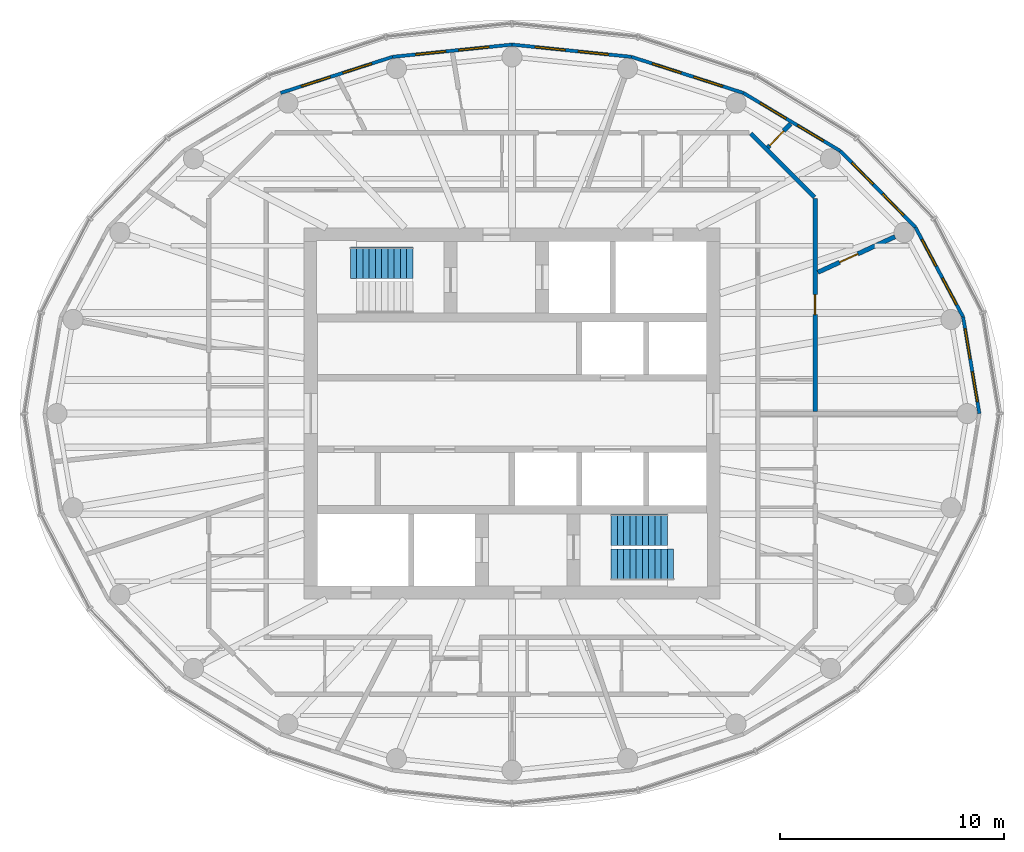
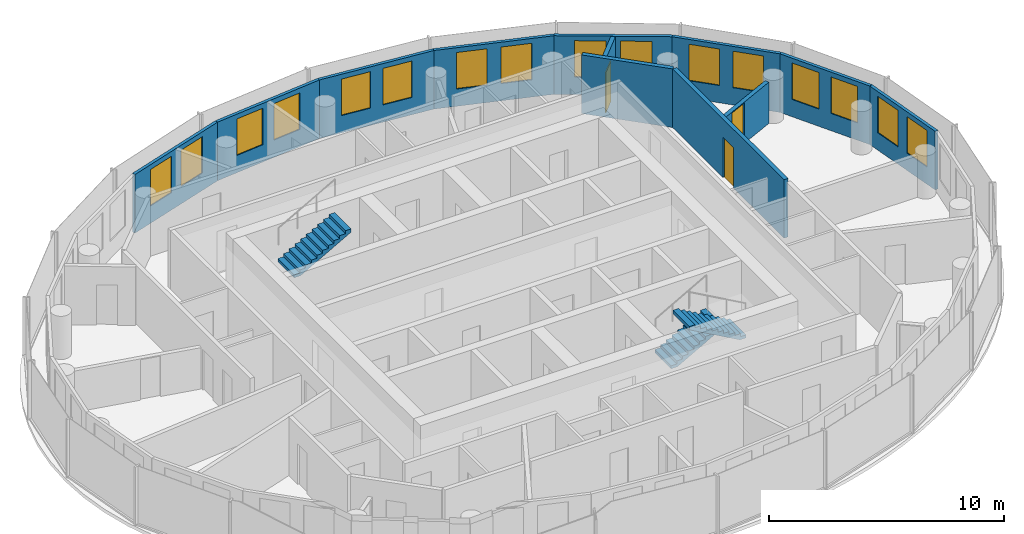
# One storey, part 9 of 11: 16 windows, 12 walls, 3 doors, 3 stair flights, 19 openings, 2 elements without a shape of their own.
"""IFC4 building model written with IfcOpenShell, lengths in metres."""

from ifc_helpers import new_model, si_unit, direction, frame, frame_2d, origin, place, context, subcontext, project, spatial, polyline, rectangle, outline, extrude, material, layer, layer_set, type_object, element, fill, aggregate, save


model = new_model("IFC4")

# Units and contexts
model_context = context("Model", 3, precision=1e-05, world=origin(), true_north=direction((0.0, 1.0)))
body_context = subcontext(model_context, "Body", "Model", "MODEL_VIEW")
ifc_project = project(units=[si_unit("LENGTHUNIT", "METRE"), si_unit("AREAUNIT", "SQUARE_METRE"), si_unit("VOLUMEUNIT", "CUBIC_METRE"), si_unit("PLANEANGLEUNIT", "RADIAN"), si_unit("MASSUNIT", "GRAM", prefix="KILO")], contexts=[model_context])

# Site, building, storey
site_placement = place(None, origin())
site = spatial("IfcSite", under=ifc_project, at=site_placement, CompositionType="ELEMENT")
building_placement = place(site_placement, origin())
building = spatial("IfcBuilding", under=site, at=building_placement, Name="Hankou Lantern Tower", CompositionType="ELEMENT")
storey_placement = place(building_placement, frame((0.0, 0.0, 229.199951171875)))
storey = spatial("IfcBuildingStorey", under=building, at=storey_placement, Name="L62", CompositionType="ELEMENT", Elevation=229.199951171875)

# Wall, openings, windows
ifc_material_1 = material(Name="Aluminium spandrel panel on steel studs", Category="steel")
ifc_layer_1 = layer(ifc_material_1, 0.14990234375)
ifc_layer_set_1 = layer_set([ifc_layer_1], Name="Aluminium spandrel panel on steel studs")
wall_type_1 = type_object("IfcWallType", Name="EW1 INNER SKIN WALL 150", PredefinedType="ELEMENTEDWALL", material=ifc_layer_set_1)
wall_1_placement = place(storey_placement, frame((20.89990234375, 0.0, 0.0), z_axis=(0.0, 0.0, 1.0), x_axis=(-0.166538513568, 0.986034950445, 0.0)))
wall_1 = element("IfcWall", 1, at=wall_1_placement, inside=storey, type_object=wall_type_1, Name="Inner skin R01-R02 L62", PredefinedType="ELEMENTEDWALL", context=body_context, shape_type="SweptSolid", body=[
    extrude(rectangle(XDim=4.384765625, YDim=0.14990234375, at=frame_2d((2.1923828125, 0.0))), origin(), (0.0, 0.0, 1.0), 3.050048828125),
])
opening_1_placement = place(wall_1_placement, frame((0.54248046875, 0.0, 0.89990234375)))
opening_1 = element("IfcOpeningElement", 2, at=opening_1_placement, cuts=wall_1, Name="Opening W4", PredefinedType="OPENING", context=body_context, shape_type="SweptSolid", body=[
    extrude(rectangle(XDim=1.35009765625, YDim=1.89990234375, at=frame_2d((0.675048828125, 0.949951171875))), frame((0.0, 0.0849609375, 0.0), z_axis=(0.0, -1.0, 0.0), x_axis=(1.0, 0.0, 0.0)), (0.0, 0.0, 1.0), 0.169921875),
])
opening_2_placement = place(wall_1_placement, frame((2.492431640625, 0.0, 0.89990234375)))
opening_2 = element("IfcOpeningElement", 3, at=opening_2_placement, cuts=wall_1, Name="Opening W4", PredefinedType="OPENING", context=body_context, shape_type="SweptSolid", body=[
    extrude(rectangle(XDim=1.35009765625, YDim=1.89990234375, at=frame_2d((0.675048828125, 0.949951171875))), frame((0.0, 0.0849609375, 0.0), z_axis=(0.0, -1.0, 0.0), x_axis=(1.0, 0.0, 0.0)), (0.0, 0.0, 1.0), 0.169921875),
])
ifc_material_2 = material(Name="Aluminium framed double glazed window", Category="aluminium")
window_type = type_object("IfcWindowType", Name="W4 SUITE WINDOW 1350X1900", PartitioningType="DOUBLE_PANEL_VERTICAL", PredefinedType="WINDOW", material=ifc_material_2)
window_1_placement = place(opening_1_placement, origin())
window_1 = element("IfcWindow", 4, at=window_1_placement, inside=storey, type_object=window_type, Name="Window R01.1 L62", OverallHeight=1.89990234375, OverallWidth=1.35009765625, PartitioningType="SINGLE_PANEL", PredefinedType="WINDOW", context=body_context, shape_type="SweptSolid", body=[
    extrude(rectangle(XDim=1.35009765625, YDim=1.89990234375, at=frame_2d((0.675048828125, 0.949951171875))), frame((0.0, 0.030029296875, 0.0), z_axis=(0.0, -1.0, 0.0), x_axis=(1.0, 0.0, 0.0)), (0.0, 0.0, 1.0), 0.06005859375),
])
fill(opening_1, window_1)
window_2_placement = place(opening_2_placement, origin())
window_2 = element("IfcWindow", 5, at=window_2_placement, inside=storey, type_object=window_type, Name="Window R01.2 L62", OverallHeight=1.89990234375, OverallWidth=1.35009765625, PartitioningType="SINGLE_PANEL", PredefinedType="WINDOW", context=body_context, shape_type="SweptSolid", body=[
    extrude(rectangle(XDim=1.35009765625, YDim=1.89990234375, at=frame_2d((0.675048828125, 0.949951171875))), frame((0.0, 0.030029296875, 0.0), z_axis=(0.0, -1.0, 0.0), x_axis=(1.0, 0.0, 0.0)), (0.0, 0.0, 1.0), 0.06005859375),
])
fill(opening_2, window_2)

wall_2_placement = place(storey_placement, frame((20.169677734375, 4.323486328125, 0.0), z_axis=(0.0, 0.0, 1.0), x_axis=(-0.469256152955, 0.883062094597, 0.0)))
wall_2 = element("IfcWall", 6, at=wall_2_placement, inside=storey, type_object=wall_type_1, Name="Inner skin R02-R03 L62", PredefinedType="ELEMENTEDWALL", context=body_context, shape_type="SweptSolid", body=[
    extrude(rectangle(XDim=4.539306640625, YDim=0.14990234375, at=frame_2d((2.26953125, 0.0))), origin(), (0.0, 0.0, 1.0), 3.050048828125),
])
opening_3_placement = place(wall_2_placement, frame((0.61962890625, 0.0, 0.89990234375)))
opening_3 = element("IfcOpeningElement", 7, at=opening_3_placement, cuts=wall_2, Name="Opening W4", PredefinedType="OPENING", context=body_context, shape_type="SweptSolid", body=[
    extrude(rectangle(XDim=1.35009765625, YDim=1.89990234375, at=frame_2d((0.675048828125, 0.949951171875))), frame((0.0, 0.0849609375, 0.0), z_axis=(0.0, -1.0, 0.0), x_axis=(1.0, 0.0, 0.0)), (0.0, 0.0, 1.0), 0.169921875),
])
opening_4_placement = place(wall_2_placement, frame((2.569580078125, 0.0, 0.89990234375)))
opening_4 = element("IfcOpeningElement", 8, at=opening_4_placement, cuts=wall_2, Name="Opening W4", PredefinedType="OPENING", context=body_context, shape_type="SweptSolid", body=[
    extrude(rectangle(XDim=1.35009765625, YDim=1.89990234375, at=frame_2d((0.675048828125, 0.949951171875))), frame((0.0, 0.0849609375, 0.0), z_axis=(0.0, -1.0, 0.0), x_axis=(1.0, 0.0, 0.0)), (0.0, 0.0, 1.0), 0.169921875),
])
window_3_placement = place(opening_3_placement, origin())
window_3 = element("IfcWindow", 9, at=window_3_placement, inside=storey, type_object=window_type, Name="Window R02.1 L62", OverallHeight=1.89990234375, OverallWidth=1.35009765625, PartitioningType="SINGLE_PANEL", PredefinedType="WINDOW", context=body_context, shape_type="SweptSolid", body=[
    extrude(rectangle(XDim=1.35009765625, YDim=1.89990234375, at=frame_2d((0.675048828125, 0.949951171875))), frame((0.0, 0.030029296875, 0.0), z_axis=(0.0, -1.0, 0.0), x_axis=(1.0, 0.0, 0.0)), (0.0, 0.0, 1.0), 0.06005859375),
])
fill(opening_3, window_3)
window_4_placement = place(opening_4_placement, origin())
window_4 = element("IfcWindow", 10, at=window_4_placement, inside=storey, type_object=window_type, Name="Window R02.2 L62", OverallHeight=1.89990234375, OverallWidth=1.35009765625, PartitioningType="SINGLE_PANEL", PredefinedType="WINDOW", context=body_context, shape_type="SweptSolid", body=[
    extrude(rectangle(XDim=1.35009765625, YDim=1.89990234375, at=frame_2d((0.675048828125, 0.949951171875))), frame((0.0, 0.030029296875, 0.0), z_axis=(0.0, -1.0, 0.0), x_axis=(1.0, 0.0, 0.0)), (0.0, 0.0, 1.0), 0.06005859375),
])
fill(opening_4, window_4)

wall_3_placement = place(storey_placement, frame((18.03955078125, 8.33203125, 0.0), z_axis=(0.0, 0.0, 1.0), x_axis=(-0.701527379618, 0.712642501993, 0.0)))
wall_3 = element("IfcWall", 11, at=wall_3_placement, inside=storey, type_object=wall_type_1, Name="Inner skin R03-R04 L62", PredefinedType="ELEMENTEDWALL", context=body_context, shape_type="SweptSolid", body=[
    extrude(rectangle(XDim=4.788330078125, YDim=0.14990234375, at=frame_2d((2.39404296875, 0.0))), origin(), (0.0, 0.0, 1.0), 3.050048828125),
])
opening_5_placement = place(wall_3_placement, frame((0.744140625, 0.0, 0.89990234375)))
opening_5 = element("IfcOpeningElement", 12, at=opening_5_placement, cuts=wall_3, Name="Opening W4", PredefinedType="OPENING", context=body_context, shape_type="SweptSolid", body=[
    extrude(rectangle(XDim=1.35009765625, YDim=1.89990234375, at=frame_2d((0.675048828125, 0.949951171875))), frame((0.0, 0.0849609375, 0.0), z_axis=(0.0, -1.0, 0.0), x_axis=(1.0, 0.0, 0.0)), (0.0, 0.0, 1.0), 0.169921875),
])
opening_6_placement = place(wall_3_placement, frame((2.694091796875, 0.0, 0.89990234375)))
opening_6 = element("IfcOpeningElement", 13, at=opening_6_placement, cuts=wall_3, Name="Opening W4", PredefinedType="OPENING", context=body_context, shape_type="SweptSolid", body=[
    extrude(rectangle(XDim=1.35009765625, YDim=1.89990234375, at=frame_2d((0.675048828125, 0.949951171875))), frame((0.0, 0.0849609375, 0.0), z_axis=(0.0, -1.0, 0.0), x_axis=(1.0, 0.0, 0.0)), (0.0, 0.0, 1.0), 0.169921875),
])
window_5_placement = place(opening_5_placement, origin())
window_5 = element("IfcWindow", 14, at=window_5_placement, inside=storey, type_object=window_type, Name="Window R03.1 L62", OverallHeight=1.89990234375, OverallWidth=1.35009765625, PartitioningType="SINGLE_PANEL", PredefinedType="WINDOW", context=body_context, shape_type="SweptSolid", body=[
    extrude(rectangle(XDim=1.35009765625, YDim=1.89990234375, at=frame_2d((0.675048828125, 0.949951171875))), frame((0.0, 0.030029296875, 0.0), z_axis=(0.0, -1.0, 0.0), x_axis=(1.0, 0.0, 0.0)), (0.0, 0.0, 1.0), 0.06005859375),
])
fill(opening_5, window_5)
window_6_placement = place(opening_6_placement, origin())
window_6 = element("IfcWindow", 15, at=window_6_placement, inside=storey, type_object=window_type, Name="Window R03.2 L62", OverallHeight=1.89990234375, OverallWidth=1.35009765625, PartitioningType="SINGLE_PANEL", PredefinedType="WINDOW", context=body_context, shape_type="SweptSolid", body=[
    extrude(rectangle(XDim=1.35009765625, YDim=1.89990234375, at=frame_2d((0.675048828125, 0.949951171875))), frame((0.0, 0.030029296875, 0.0), z_axis=(0.0, -1.0, 0.0), x_axis=(1.0, 0.0, 0.0)), (0.0, 0.0, 1.0), 0.06005859375),
])
fill(opening_6, window_6)

wall_4_placement = place(storey_placement, frame((14.680419921875, 11.744384765625, 0.0), z_axis=(0.0, 0.0, 1.0), x_axis=(-0.85822150553, 0.513279502265, 0.0)))
wall_4 = element("IfcWall", 16, at=wall_4_placement, inside=storey, type_object=wall_type_1, Name="Inner skin R04-R05 L62", PredefinedType="ELEMENTEDWALL", context=body_context, shape_type="SweptSolid", body=[
    extrude(rectangle(XDim=5.050048828125, YDim=0.14990234375, at=frame_2d((2.52490234375, 0.0))), origin(), (0.0, 0.0, 1.0), 3.050048828125),
])
opening_7_placement = place(wall_4_placement, frame((0.875, 0.0, 0.89990234375)))
opening_7 = element("IfcOpeningElement", 17, at=opening_7_placement, cuts=wall_4, Name="Opening W4", PredefinedType="OPENING", context=body_context, shape_type="SweptSolid", body=[
    extrude(rectangle(XDim=1.35009765625, YDim=1.89990234375, at=frame_2d((0.675048828125, 0.949951171875))), frame((0.0, 0.0849609375, 0.0), z_axis=(0.0, -1.0, 0.0), x_axis=(1.0, 0.0, 0.0)), (0.0, 0.0, 1.0), 0.169921875),
])
opening_8_placement = place(wall_4_placement, frame((2.824951171875, 0.0, 0.89990234375)))
opening_8 = element("IfcOpeningElement", 18, at=opening_8_placement, cuts=wall_4, Name="Opening W4", PredefinedType="OPENING", context=body_context, shape_type="SweptSolid", body=[
    extrude(rectangle(XDim=1.35009765625, YDim=1.89990234375, at=frame_2d((0.675048828125, 0.949951171875))), frame((0.0, 0.0849609375, 0.0), z_axis=(0.0, -1.0, 0.0), x_axis=(1.0, 0.0, 0.0)), (0.0, 0.0, 1.0), 0.169921875),
])
window_7_placement = place(opening_7_placement, origin())
window_7 = element("IfcWindow", 19, at=window_7_placement, inside=storey, type_object=window_type, Name="Window R04.1 L62", OverallHeight=1.89990234375, OverallWidth=1.35009765625, PartitioningType="SINGLE_PANEL", PredefinedType="WINDOW", context=body_context, shape_type="SweptSolid", body=[
    extrude(rectangle(XDim=1.35009765625, YDim=1.89990234375, at=frame_2d((0.675048828125, 0.949951171875))), frame((0.0, 0.030029296875, 0.0), z_axis=(0.0, -1.0, 0.0), x_axis=(1.0, 0.0, 0.0)), (0.0, 0.0, 1.0), 0.06005859375),
])
fill(opening_7, window_7)
window_8_placement = place(opening_8_placement, origin())
window_8 = element("IfcWindow", 20, at=window_8_placement, inside=storey, type_object=window_type, Name="Window R04.2 L62", OverallHeight=1.89990234375, OverallWidth=1.35009765625, PartitioningType="SINGLE_PANEL", PredefinedType="WINDOW", context=body_context, shape_type="SweptSolid", body=[
    extrude(rectangle(XDim=1.35009765625, YDim=1.89990234375, at=frame_2d((0.675048828125, 0.949951171875))), frame((0.0, 0.030029296875, 0.0), z_axis=(0.0, -1.0, 0.0), x_axis=(1.0, 0.0, 0.0)), (0.0, 0.0, 1.0), 0.06005859375),
])
fill(opening_8, window_8)

wall_5_placement = place(storey_placement, frame((10.346435546875, 14.33642578125, 0.0), z_axis=(0.0, 0.0, 1.0), x_axis=(-0.951644702515, 0.307200846638, 0.0)))
wall_5 = element("IfcWall", 21, at=wall_5_placement, inside=storey, type_object=wall_type_1, Name="Inner skin R05-R06 L62", PredefinedType="ELEMENTEDWALL", context=body_context, shape_type="SweptSolid", body=[
    extrude(rectangle(XDim=5.2578125, YDim=0.14990234375, at=frame_2d((2.62890625, 0.0))), origin(), (0.0, 0.0, 1.0), 3.050048828125),
])
opening_9_placement = place(wall_5_placement, frame((0.97900390625, 0.0, 0.89990234375)))
opening_9 = element("IfcOpeningElement", 22, at=opening_9_placement, cuts=wall_5, Name="Opening W4", PredefinedType="OPENING", context=body_context, shape_type="SweptSolid", body=[
    extrude(rectangle(XDim=1.35009765625, YDim=1.89990234375, at=frame_2d((0.675048828125, 0.949951171875))), frame((0.0, 0.0849609375, 0.0), z_axis=(0.0, -1.0, 0.0), x_axis=(1.0, 0.0, 0.0)), (0.0, 0.0, 1.0), 0.169921875),
])
opening_10_placement = place(wall_5_placement, frame((2.928955078125, 0.0, 0.89990234375)))
opening_10 = element("IfcOpeningElement", 23, at=opening_10_placement, cuts=wall_5, Name="Opening W4", PredefinedType="OPENING", context=body_context, shape_type="SweptSolid", body=[
    extrude(rectangle(XDim=1.35009765625, YDim=1.89990234375, at=frame_2d((0.675048828125, 0.949951171875))), frame((0.0, 0.0849609375, 0.0), z_axis=(0.0, -1.0, 0.0), x_axis=(1.0, 0.0, 0.0)), (0.0, 0.0, 1.0), 0.169921875),
])
window_9_placement = place(opening_9_placement, origin())
window_9 = element("IfcWindow", 24, at=window_9_placement, inside=storey, type_object=window_type, Name="Window R05.1 L62", OverallHeight=1.89990234375, OverallWidth=1.35009765625, PartitioningType="SINGLE_PANEL", PredefinedType="WINDOW", context=body_context, shape_type="SweptSolid", body=[
    extrude(rectangle(XDim=1.35009765625, YDim=1.89990234375, at=frame_2d((0.675048828125, 0.949951171875))), frame((0.0, 0.030029296875, 0.0), z_axis=(0.0, -1.0, 0.0), x_axis=(1.0, 0.0, 0.0)), (0.0, 0.0, 1.0), 0.06005859375),
])
fill(opening_9, window_9)
window_10_placement = place(opening_10_placement, origin())
window_10 = element("IfcWindow", 25, at=window_10_placement, inside=storey, type_object=window_type, Name="Window R05.2 L62", OverallHeight=1.89990234375, OverallWidth=1.35009765625, PartitioningType="SINGLE_PANEL", PredefinedType="WINDOW", context=body_context, shape_type="SweptSolid", body=[
    extrude(rectangle(XDim=1.35009765625, YDim=1.89990234375, at=frame_2d((0.675048828125, 0.949951171875))), frame((0.0, 0.030029296875, 0.0), z_axis=(0.0, -1.0, 0.0), x_axis=(1.0, 0.0, 0.0)), (0.0, 0.0, 1.0), 0.06005859375),
])
fill(opening_10, window_10)

wall_6_placement = place(storey_placement, frame((5.3427734375, 15.95166015625, 0.0), z_axis=(0.0, 0.0, 1.0), x_axis=(-0.994774574972, 0.102095763818, 0.0)))
wall_6 = element("IfcWall", 26, at=wall_6_placement, inside=storey, type_object=wall_type_1, Name="Inner skin R06-R07 L62", PredefinedType="ELEMENTEDWALL", context=body_context, shape_type="SweptSolid", body=[
    extrude(rectangle(XDim=5.370849609375, YDim=0.14990234375, at=frame_2d((2.685546875, 0.0))), origin(), (0.0, 0.0, 1.0), 3.050048828125),
])
opening_11_placement = place(wall_6_placement, frame((1.035400390625, 0.0, 0.89990234375)))
opening_11 = element("IfcOpeningElement", 27, at=opening_11_placement, cuts=wall_6, Name="Opening W4", PredefinedType="OPENING", context=body_context, shape_type="SweptSolid", body=[
    extrude(rectangle(XDim=1.35009765625, YDim=1.89990234375, at=frame_2d((0.675048828125, 0.949951171875))), frame((0.0, 0.0849609375, 0.0), z_axis=(0.0, -1.0, 0.0), x_axis=(1.0, 0.0, 0.0)), (0.0, 0.0, 1.0), 0.169921875),
])
opening_12_placement = place(wall_6_placement, frame((2.9853515625, 0.0, 0.89990234375)))
opening_12 = element("IfcOpeningElement", 28, at=opening_12_placement, cuts=wall_6, Name="Opening W4", PredefinedType="OPENING", context=body_context, shape_type="SweptSolid", body=[
    extrude(rectangle(XDim=1.35009765625, YDim=1.89990234375, at=frame_2d((0.675048828125, 0.949951171875))), frame((0.0, 0.0849609375, 0.0), z_axis=(0.0, -1.0, 0.0), x_axis=(1.0, 0.0, 0.0)), (0.0, 0.0, 1.0), 0.169921875),
])
window_11_placement = place(opening_11_placement, origin())
window_11 = element("IfcWindow", 29, at=window_11_placement, inside=storey, type_object=window_type, Name="Window R06.1 L62", OverallHeight=1.89990234375, OverallWidth=1.35009765625, PartitioningType="SINGLE_PANEL", PredefinedType="WINDOW", context=body_context, shape_type="SweptSolid", body=[
    extrude(rectangle(XDim=1.35009765625, YDim=1.89990234375, at=frame_2d((0.675048828125, 0.949951171875))), frame((0.0, 0.030029296875, 0.0), z_axis=(0.0, -1.0, 0.0), x_axis=(1.0, 0.0, 0.0)), (0.0, 0.0, 1.0), 0.06005859375),
])
fill(opening_11, window_11)
window_12_placement = place(opening_12_placement, origin())
window_12 = element("IfcWindow", 30, at=window_12_placement, inside=storey, type_object=window_type, Name="Window R06.2 L62", OverallHeight=1.89990234375, OverallWidth=1.35009765625, PartitioningType="SINGLE_PANEL", PredefinedType="WINDOW", context=body_context, shape_type="SweptSolid", body=[
    extrude(rectangle(XDim=1.35009765625, YDim=1.89990234375, at=frame_2d((0.675048828125, 0.949951171875))), frame((0.0, 0.030029296875, 0.0), z_axis=(0.0, -1.0, 0.0), x_axis=(1.0, 0.0, 0.0)), (0.0, 0.0, 1.0), 0.06005859375),
])
fill(opening_12, window_12)

wall_7_placement = place(storey_placement, frame((0.0, 16.5, 0.0), z_axis=(0.0, 0.0, 1.0), x_axis=(-0.994774574972, -0.102095763818, 0.0)))
wall_7 = element("IfcWall", 31, at=wall_7_placement, inside=storey, type_object=wall_type_1, Name="Inner skin R07-R08 L62", PredefinedType="ELEMENTEDWALL", context=body_context, shape_type="SweptSolid", body=[
    extrude(rectangle(XDim=5.370849609375, YDim=0.14990234375, at=frame_2d((2.685546875, 0.0))), origin(), (0.0, 0.0, 1.0), 3.050048828125),
])
opening_13_placement = place(wall_7_placement, frame((1.035400390625, 0.0, 0.89990234375)))
opening_13 = element("IfcOpeningElement", 32, at=opening_13_placement, cuts=wall_7, Name="Opening W4", PredefinedType="OPENING", context=body_context, shape_type="SweptSolid", body=[
    extrude(rectangle(XDim=1.35009765625, YDim=1.89990234375, at=frame_2d((0.675048828125, 0.949951171875))), frame((0.0, 0.0849609375, 0.0), z_axis=(0.0, -1.0, 0.0), x_axis=(1.0, 0.0, 0.0)), (0.0, 0.0, 1.0), 0.169921875),
])
opening_14_placement = place(wall_7_placement, frame((2.9853515625, 0.0, 0.89990234375)))
opening_14 = element("IfcOpeningElement", 33, at=opening_14_placement, cuts=wall_7, Name="Opening W4", PredefinedType="OPENING", context=body_context, shape_type="SweptSolid", body=[
    extrude(rectangle(XDim=1.35009765625, YDim=1.89990234375, at=frame_2d((0.675048828125, 0.949951171875))), frame((0.0, 0.0849609375, 0.0), z_axis=(0.0, -1.0, 0.0), x_axis=(1.0, 0.0, 0.0)), (0.0, 0.0, 1.0), 0.169921875),
])
window_13_placement = place(opening_13_placement, origin())
window_13 = element("IfcWindow", 34, at=window_13_placement, inside=storey, type_object=window_type, Name="Window R07.1 L62", OverallHeight=1.89990234375, OverallWidth=1.35009765625, PartitioningType="SINGLE_PANEL", PredefinedType="WINDOW", context=body_context, shape_type="SweptSolid", body=[
    extrude(rectangle(XDim=1.35009765625, YDim=1.89990234375, at=frame_2d((0.675048828125, 0.949951171875))), frame((0.0, 0.030029296875, 0.0), z_axis=(0.0, -1.0, 0.0), x_axis=(1.0, 0.0, 0.0)), (0.0, 0.0, 1.0), 0.06005859375),
])
fill(opening_13, window_13)
window_14_placement = place(opening_14_placement, origin())
window_14 = element("IfcWindow", 35, at=window_14_placement, inside=storey, type_object=window_type, Name="Window R07.2 L62", OverallHeight=1.89990234375, OverallWidth=1.35009765625, PartitioningType="SINGLE_PANEL", PredefinedType="WINDOW", context=body_context, shape_type="SweptSolid", body=[
    extrude(rectangle(XDim=1.35009765625, YDim=1.89990234375, at=frame_2d((0.675048828125, 0.949951171875))), frame((0.0, 0.030029296875, 0.0), z_axis=(0.0, -1.0, 0.0), x_axis=(1.0, 0.0, 0.0)), (0.0, 0.0, 1.0), 0.06005859375),
])
fill(opening_14, window_14)

wall_8_placement = place(storey_placement, frame((-5.3427734375, 15.95166015625, 0.0), z_axis=(0.0, 0.0, 1.0), x_axis=(-0.951644702515, -0.307200846638, 0.0)))
wall_8 = element("IfcWall", 36, at=wall_8_placement, inside=storey, type_object=wall_type_1, Name="Inner skin R08-R09 L62", PredefinedType="ELEMENTEDWALL", context=body_context, shape_type="SweptSolid", body=[
    extrude(rectangle(XDim=5.2578125, YDim=0.14990234375, at=frame_2d((2.62890625, 0.0))), origin(), (0.0, 0.0, 1.0), 3.050048828125),
])
opening_15_placement = place(wall_8_placement, frame((0.97900390625, 0.0, 0.89990234375)))
opening_15 = element("IfcOpeningElement", 37, at=opening_15_placement, cuts=wall_8, Name="Opening W4", PredefinedType="OPENING", context=body_context, shape_type="SweptSolid", body=[
    extrude(rectangle(XDim=1.35009765625, YDim=1.89990234375, at=frame_2d((0.675048828125, 0.949951171875))), frame((0.0, 0.0849609375, 0.0), z_axis=(0.0, -1.0, 0.0), x_axis=(1.0, 0.0, 0.0)), (0.0, 0.0, 1.0), 0.169921875),
])
opening_16_placement = place(wall_8_placement, frame((2.928955078125, 0.0, 0.89990234375)))
opening_16 = element("IfcOpeningElement", 38, at=opening_16_placement, cuts=wall_8, Name="Opening W4", PredefinedType="OPENING", context=body_context, shape_type="SweptSolid", body=[
    extrude(rectangle(XDim=1.35009765625, YDim=1.89990234375, at=frame_2d((0.675048828125, 0.949951171875))), frame((0.0, 0.0849609375, 0.0), z_axis=(0.0, -1.0, 0.0), x_axis=(1.0, 0.0, 0.0)), (0.0, 0.0, 1.0), 0.169921875),
])
window_15_placement = place(opening_15_placement, origin())
window_15 = element("IfcWindow", 39, at=window_15_placement, inside=storey, type_object=window_type, Name="Window R08.1 L62", OverallHeight=1.89990234375, OverallWidth=1.35009765625, PartitioningType="SINGLE_PANEL", PredefinedType="WINDOW", context=body_context, shape_type="SweptSolid", body=[
    extrude(rectangle(XDim=1.35009765625, YDim=1.89990234375, at=frame_2d((0.675048828125, 0.949951171875))), frame((0.0, 0.030029296875, 0.0), z_axis=(0.0, -1.0, 0.0), x_axis=(1.0, 0.0, 0.0)), (0.0, 0.0, 1.0), 0.06005859375),
])
fill(opening_15, window_15)
window_16_placement = place(opening_16_placement, origin())
window_16 = element("IfcWindow", 40, at=window_16_placement, inside=storey, type_object=window_type, Name="Window R08.2 L62", OverallHeight=1.89990234375, OverallWidth=1.35009765625, PartitioningType="SINGLE_PANEL", PredefinedType="WINDOW", context=body_context, shape_type="SweptSolid", body=[
    extrude(rectangle(XDim=1.35009765625, YDim=1.89990234375, at=frame_2d((0.675048828125, 0.949951171875))), frame((0.0, 0.030029296875, 0.0), z_axis=(0.0, -1.0, 0.0), x_axis=(1.0, 0.0, 0.0)), (0.0, 0.0, 1.0), 0.06005859375),
])
fill(opening_16, window_16)

# Wall, opening, door
ifc_material_3 = material(Name="Masonry lightweight concrete block", Category="masonry")
ifc_layer_2 = layer(ifc_material_3, 0.199951171875)
ifc_layer_set_2 = layer_set([ifc_layer_2], Name="Masonry lightweight concrete block")
wall_type_2 = type_object("IfcWallType", Name="IW6 SUITE PARTITION 200", PredefinedType="PARTITIONING", material=ifc_layer_set_2)
wall_9_placement = place(storey_placement, frame((13.550048828125, 0.10107421875, 0.0), z_axis=(0.0, 0.0, 1.0), x_axis=(0.0, 1.0, 0.0)))
wall_9 = element("IfcWall", 41, at=wall_9_placement, inside=storey, type_object=wall_type_2, Name="Suite foyer wall 6201", PredefinedType="PARTITIONING", context=body_context, shape_type="SweptSolid", body=[
    extrude(rectangle(XDim=9.507568359375, YDim=0.199951171875, at=frame_2d((4.75390625, 0.0))), origin(), (0.0, 0.0, 1.0), 3.050048828125),
])
opening_17_placement = place(wall_9_placement, frame((4.320068359375, 0.0, 0.0)))
opening_17 = element("IfcOpeningElement", 42, at=opening_17_placement, cuts=wall_9, Name="Opening D27", PredefinedType="OPENING", context=body_context, shape_type="SweptSolid", body=[
    extrude(rectangle(XDim=0.89990234375, YDim=2.10009765625, at=frame_2d((0.449951171875, 1.050048828125))), frame((0.0, 0.10986328125, 0.0), z_axis=(0.0, -1.0, 0.0), x_axis=(1.0, 0.0, 0.0)), (0.0, 0.0, 1.0), 0.219970703125),
])
ifc_material_4 = material(Name="Timber door leaf", Category="wood")
door_type = type_object("IfcDoorType", Name="D27 INTERNAL DOOR 900X2100", OperationType="SINGLE_SWING_LEFT", PredefinedType="DOOR", material=ifc_material_4)
door_1_placement = place(opening_17_placement, origin())
door_1 = element("IfcDoor", 43, at=door_1_placement, inside=storey, type_object=door_type, Name="Corner suite 6201 living room door", OperationType="SINGLE_SWING_LEFT", OverallHeight=2.10009765625, OverallWidth=0.89990234375, PredefinedType="DOOR", context=body_context, shape_type="SweptSolid", body=[
    extrude(rectangle(XDim=0.89990234375, YDim=2.10009765625, at=frame_2d((0.449951171875, 1.050048828125))), frame((0.0, 0.02490234375, 0.0), z_axis=(0.0, -1.0, 0.0), x_axis=(1.0, 0.0, 0.0)), (0.0, 0.0, 1.0), 0.050048828125),
])
fill(opening_17, door_1)

# Wall
wall_10_placement = place(storey_placement, frame((13.520751953125, 9.67919921875, 0.0), z_axis=(0.0, 0.0, 1.0), x_axis=(-0.707106781187, 0.707106781187, 0.0)))
element("IfcWall", 44, at=wall_10_placement, inside=storey, type_object=wall_type_2, Name="Suite foyer wall 6201", PredefinedType="PARTITIONING", context=body_context, shape_type="SweptSolid", body=[
    extrude(rectangle(XDim=4.0185546875, YDim=0.199951171875, at=frame_2d((2.00927734375, 0.0))), origin(), (0.0, 0.0, 1.0), 3.050048828125),
])

# Wall, opening, door
wall_11_placement = place(storey_placement, frame((13.67724609375, 6.317138671875, 0.0), z_axis=(0.0, 0.0, 1.0), x_axis=(0.907825704695, 0.419347695708, 0.0)))
wall_11 = element("IfcWall", 45, at=wall_11_placement, inside=storey, type_object=wall_type_2, Name="Suite partition R03", PredefinedType="PARTITIONING", context=body_context, shape_type="SweptSolid", body=[
    extrude(rectangle(XDim=3.79638671875, YDim=0.199951171875, at=frame_2d((1.898193359375, 0.0))), origin(), (0.0, 0.0, 1.0), 2.150146484375),
])
opening_18_placement = place(wall_11_placement, frame((1.070068359375, 0.0, 0.0)))
opening_18 = element("IfcOpeningElement", 46, at=opening_18_placement, cuts=wall_11, Name="Opening D27", PredefinedType="OPENING", context=body_context, shape_type="SweptSolid", body=[
    extrude(rectangle(XDim=0.89990234375, YDim=2.10009765625, at=frame_2d((0.449951171875, 1.050048828125))), frame((0.0, 0.10986328125, 0.0), z_axis=(0.0, -1.0, 0.0), x_axis=(1.0, 0.0, 0.0)), (0.0, 0.0, 1.0), 0.219970703125),
])
door_2_placement = place(opening_18_placement, origin())
door_2 = element("IfcDoor", 47, at=door_2_placement, inside=storey, type_object=door_type, Name="Corner suite 6201 dining room door", OperationType="SINGLE_SWING_LEFT", OverallHeight=2.10009765625, OverallWidth=0.89990234375, PredefinedType="DOOR", context=body_context, shape_type="SweptSolid", body=[
    extrude(rectangle(XDim=0.89990234375, YDim=2.10009765625, at=frame_2d((0.449951171875, 1.050048828125))), frame((0.0, 0.02490234375, 0.0), z_axis=(0.0, -1.0, 0.0), x_axis=(1.0, 0.0, 0.0)), (0.0, 0.0, 1.0), 0.050048828125),
])
fill(opening_18, door_2)

wall_12_placement = place(storey_placement, frame((11.44091796875, 11.900390625, 0.0), z_axis=(0.0, 0.0, 1.0), x_axis=(0.692958717259, 0.720977264672, 0.0)))
wall_12 = element("IfcWall", 48, at=wall_12_placement, inside=storey, type_object=wall_type_2, Name="Suite partition R04-R05", PredefinedType="PARTITIONING", context=body_context, shape_type="SweptSolid", body=[
    extrude(rectangle(XDim=1.4638671875, YDim=0.199951171875, at=frame_2d((0.73193359375, 0.0))), origin(), (0.0, 0.0, 1.0), 3.050048828125),
])
opening_19_placement = place(wall_12_placement, frame((0.1201171875, 0.0, 0.0)))
opening_19 = element("IfcOpeningElement", 49, at=opening_19_placement, cuts=wall_12, Name="Opening D27", PredefinedType="OPENING", context=body_context, shape_type="SweptSolid", body=[
    extrude(rectangle(XDim=0.89990234375, YDim=2.10009765625, at=frame_2d((0.449951171875, 1.050048828125))), frame((0.0, 0.10986328125, 0.0), z_axis=(0.0, -1.0, 0.0), x_axis=(1.0, 0.0, 0.0)), (0.0, 0.0, 1.0), 0.219970703125),
])
door_3_placement = place(opening_19_placement, origin())
door_3 = element("IfcDoor", 50, at=door_3_placement, inside=storey, type_object=door_type, Name="Corner suite 6201 bedroom door", OperationType="SINGLE_SWING_LEFT", OverallHeight=2.10009765625, OverallWidth=0.89990234375, PredefinedType="DOOR", context=body_context, shape_type="SweptSolid", body=[
    extrude(rectangle(XDim=0.89990234375, YDim=2.10009765625, at=frame_2d((0.449951171875, 1.050048828125))), frame((0.0, 0.02490234375, 0.0), z_axis=(0.0, -1.0, 0.0), x_axis=(1.0, 0.0, 0.0)), (0.0, 0.0, 1.0), 0.050048828125),
])
fill(opening_19, door_3)

# Stair, stair flight
ifc_material_5 = material(Name="Concrete C40", Category="concrete")
stair_type = type_object("IfcStairType", Name="ST33 CORE STAIR 3300 RISE", PredefinedType="HALF_TURN_STAIR", material=ifc_material_5)
stair_1_placement = place(storey_placement, origin())
stair_1 = element("IfcStair", 51, at=stair_1_placement, inside=storey, type_object=stair_type, Name="Stair STB L62", PredefinedType="HALF_TURN_STAIR")
ifc_material_6 = material(Name="Concrete C40", Category="concrete")
stair_flight_type_1 = type_object("IfcStairFlightType", Name="CF10 CORE STAIR FLIGHT 1400 X 10 RISERS", PredefinedType="STRAIGHT", material=ifc_material_6)
stair_flight_1_placement = place(storey_placement, frame((4.429931640625, -5.199951171875, 0.0), z_axis=(0.0, 0.0, 1.0), x_axis=(1.0, 0.0, 0.0)))
stair_flight_1 = element("IfcStairFlight", 52, at=stair_flight_1_placement, type_object=stair_flight_type_1, Name="STB flight 1", NumberOfRisers=10, NumberOfTreads=9, PredefinedType="STRAIGHT", RiserHeight=0.157142857, TreadLength=0.28, context=body_context, shape_type="SweptSolid", body=[
    extrude(outline(polyline([(0.0, 0.0), (0.0, 0.1572265625), (0.280029296875, 0.1572265625), (0.280029296875, 0.314208984375), (0.56005859375, 0.314208984375), (0.56005859375, 0.471435546875), (0.840087890625, 0.471435546875), (0.840087890625, 0.628662109375), (1.1201171875, 0.628662109375), (1.1201171875, 0.78564453125), (1.39990234375, 0.78564453125), (1.39990234375, 0.94287109375), (1.679931640625, 0.94287109375), (1.679931640625, 1.10009765625), (1.9599609375, 1.10009765625), (1.9599609375, 1.257080078125), (2.239990234375, 1.257080078125), (2.239990234375, 1.414306640625), (2.52001953125, 1.414306640625), (2.52001953125, 1.571533203125), (2.52001953125, 1.242431640625), (0.306396484375, 0.0), (0.0, 0.0)])), frame((0.0, 0.699951171875, 0.0), z_axis=(0.0, -1.0, 0.0), x_axis=(1.0, 0.0, 0.0)), (0.0, 0.0, 1.0), 1.39990234375),
])

stair_2_placement = place(storey_placement, origin())
stair_2 = element("IfcStair", 53, at=stair_2_placement, inside=storey, type_object=stair_type, Name="Stair STA L62", PredefinedType="HALF_TURN_STAIR")
ifc_material_7 = material(Name="Concrete C40", Category="concrete")
stair_flight_type_2 = type_object("IfcStairFlightType", Name="CF11 CORE STAIR FLIGHT 1400 X 11 RISERS", PredefinedType="STRAIGHT", material=ifc_material_7)
stair_flight_2_placement = place(storey_placement, frame((-7.22998046875, 6.75, 1.571533203125), z_axis=(0.0, 0.0, 1.0), x_axis=(1.0, 0.0, 0.0)))
stair_flight_2 = element("IfcStairFlight", 54, at=stair_flight_2_placement, type_object=stair_flight_type_2, Name="STA flight 2", NumberOfRisers=11, NumberOfTreads=10, PredefinedType="STRAIGHT", RiserHeight=0.157142857, TreadLength=0.28, context=body_context, shape_type="SweptSolid", body=[
    extrude(outline(polyline([(0.0, 0.0), (0.0, 0.1572265625), (0.280029296875, 0.1572265625), (0.280029296875, 0.314208984375), (0.56005859375, 0.314208984375), (0.56005859375, 0.471435546875), (0.840087890625, 0.471435546875), (0.840087890625, 0.628662109375), (1.1201171875, 0.628662109375), (1.1201171875, 0.78564453125), (1.39990234375, 0.78564453125), (1.39990234375, 0.94287109375), (1.679931640625, 0.94287109375), (1.679931640625, 1.10009765625), (1.9599609375, 1.10009765625), (1.9599609375, 1.257080078125), (2.239990234375, 1.257080078125), (2.239990234375, 1.414306640625), (2.52001953125, 1.414306640625), (2.52001953125, 1.571533203125), (2.800048828125, 1.571533203125), (2.800048828125, 1.728515625), (2.800048828125, 1.3994140625), (0.306396484375, 0.0), (0.0, 0.0)])), frame((0.0, 0.699951171875, 0.0), z_axis=(0.0, -1.0, 0.0), x_axis=(1.0, 0.0, 0.0)), (0.0, 0.0, 1.0), 1.39990234375),
])
aggregate(stair_2, [stair_flight_2])

# Stair flight
stair_flight_3_placement = place(storey_placement, frame((7.22998046875, -6.75, 1.571533203125), z_axis=(0.0, 0.0, 1.0), x_axis=(-1.0, 0.0, 0.0)))
stair_flight_3 = element("IfcStairFlight", 55, at=stair_flight_3_placement, type_object=stair_flight_type_2, Name="STB flight 2", NumberOfRisers=11, NumberOfTreads=10, PredefinedType="STRAIGHT", RiserHeight=0.157142857, TreadLength=0.28, context=body_context, shape_type="SweptSolid", body=[
    extrude(outline(polyline([(0.0, 0.0), (0.0, 0.1572265625), (0.280029296875, 0.1572265625), (0.280029296875, 0.314208984375), (0.56005859375, 0.314208984375), (0.56005859375, 0.471435546875), (0.840087890625, 0.471435546875), (0.840087890625, 0.628662109375), (1.1201171875, 0.628662109375), (1.1201171875, 0.78564453125), (1.39990234375, 0.78564453125), (1.39990234375, 0.94287109375), (1.679931640625, 0.94287109375), (1.679931640625, 1.10009765625), (1.9599609375, 1.10009765625), (1.9599609375, 1.257080078125), (2.239990234375, 1.257080078125), (2.239990234375, 1.414306640625), (2.52001953125, 1.414306640625), (2.52001953125, 1.571533203125), (2.800048828125, 1.571533203125), (2.800048828125, 1.728515625), (2.800048828125, 1.3994140625), (0.306396484375, 0.0), (0.0, 0.0)])), frame((0.0, 0.699951171875, 0.0), z_axis=(0.0, -1.0, 0.0), x_axis=(1.0, 0.0, 0.0)), (0.0, 0.0, 1.0), 1.39990234375),
])

aggregate(stair_1, [stair_flight_1, stair_flight_3])

save(model, "model.ifc")
